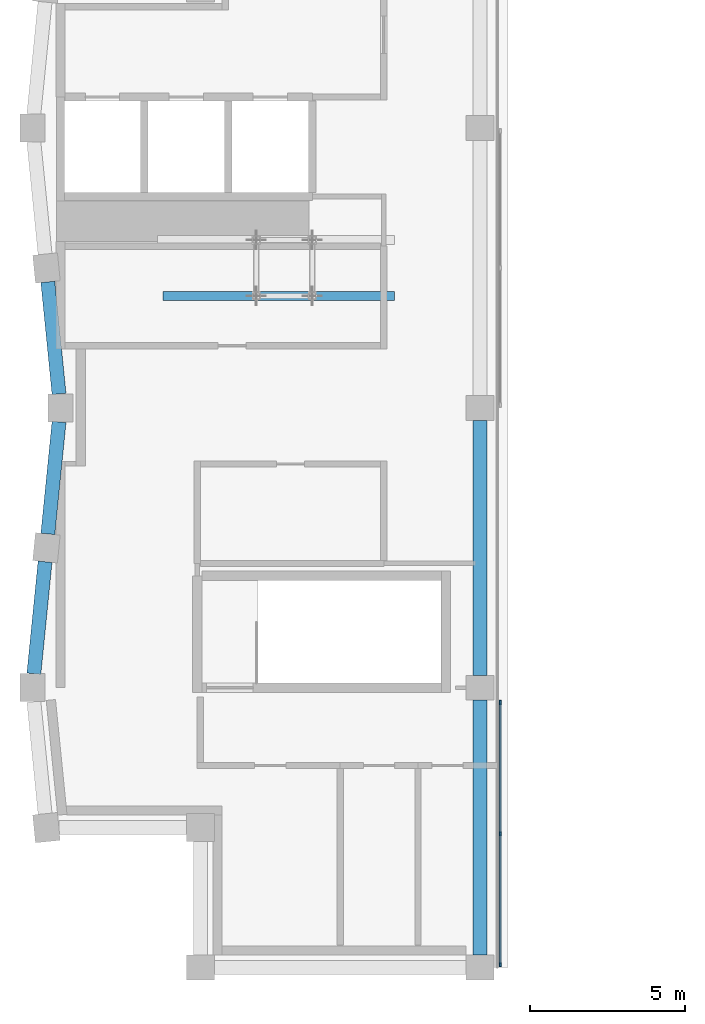
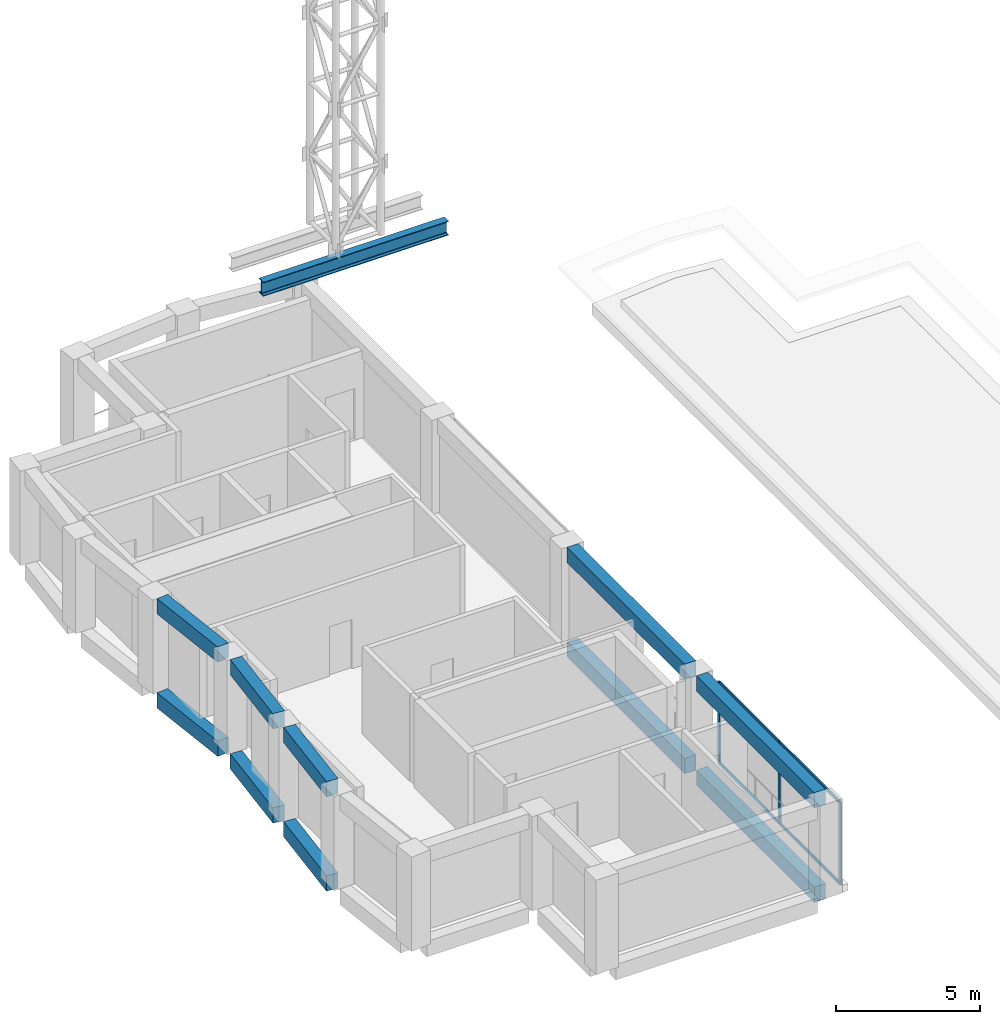
# One storey, part 2 of 7: 11 beams, 7 members, 1 element without a shape of its own.
"""IFC4 building model written with IfcOpenShell, lengths in metres."""

from ifc_helpers import new_model, si_unit, direction, frame, origin, origin_2d, place, context, subcontext, project, spatial, rectangle, i_section, extrude, material, material_profile, profile_set, type_object, element, aggregate, save


model = new_model("IFC4")

# Units and contexts
model_context = context("Model", 3, precision=1e-05, world=origin(), true_north=direction((0.0, 1.0)))
body_context = subcontext(model_context, "Body", "Model", "MODEL_VIEW")
ifc_project = project(units=[si_unit("LENGTHUNIT", "METRE"), si_unit("AREAUNIT", "SQUARE_METRE"), si_unit("VOLUMEUNIT", "CUBIC_METRE"), si_unit("PLANEANGLEUNIT", "RADIAN"), si_unit("MASSUNIT", "GRAM", prefix="KILO")], contexts=[model_context])

# Site, building, storey
site_placement = place(None, origin())
site = spatial("IfcSite", under=ifc_project, at=site_placement, CompositionType="ELEMENT")
building_placement = place(site_placement, origin())
building = spatial("IfcBuilding", under=site, at=building_placement, Name="Brondeck Convention Tower", CompositionType="ELEMENT")
storey_placement = place(building_placement, frame((0.0, 0.0, 306.800048828125)))
storey = spatial("IfcBuildingStorey", under=building, at=storey_placement, Name="L76", CompositionType="ELEMENT", Elevation=306.800048828125)

# Curtain wall, members
ifc_material_1 = material(Name="Aluminium, bronze anodised", Category="aluminium")
curtain_wall_type = type_object("IfcCurtainWallType", Name="Crown screen curtain wall", PredefinedType="NOTDEFINED", material=ifc_material_1)
curtain_wall_placement = place(storey_placement, origin())
curtain_wall = element("IfcCurtainWall", 1, at=curtain_wall_placement, inside=storey, type_object=curtain_wall_type, Name="ENV-CW4-L76-K1-SLOT-W-00-2", PredefinedType="NOTDEFINED")
ifc_material_profile_1 = material_profile(ifc_material_1, rectangle(XDim=0.06005859375, YDim=0.139892578125, at=origin_2d()), Name="CW4 mullion")
ifc_profile_set_1 = profile_set([ifc_material_profile_1], Name="Aluminium, bronze anodised")
member_type_1 = type_object("IfcMemberType", Name="CW4 mullion", PredefinedType="MULLION", material=ifc_profile_set_1)
member_1_placement = place(storey_placement, frame((14.14990234375, 35.52001953125, 0.0), z_axis=(0.0, 0.0, 1.0), x_axis=(1.0, 0.0, 0.0)))
member_1 = element("IfcMember", 2, at=member_1_placement, type_object=member_type_1, Name="CW4 mullion 1", PredefinedType="MULLION", context=body_context, shape_type="SweptSolid", body=[
    extrude(rectangle(XDim=0.06005859375, YDim=0.139892578125, at=origin_2d()), origin(), (0.0, 0.0, 1.0), 3.5),
])
member_2_placement = place(storey_placement, frame((14.14990234375, 31.304931640625, 0.0), z_axis=(0.0, 0.0, 1.0), x_axis=(1.0, 0.0, 0.0)))
member_2 = element("IfcMember", 3, at=member_2_placement, type_object=member_type_1, Name="CW4 mullion 2", PredefinedType="MULLION", context=body_context, shape_type="SweptSolid", body=[
    extrude(rectangle(XDim=0.06005859375, YDim=0.139892578125, at=origin_2d()), origin(), (0.0, 0.0, 1.0), 3.5),
])
member_3_placement = place(storey_placement, frame((14.14990234375, 27.090087890625, 0.0), z_axis=(0.0, 0.0, 1.0), x_axis=(1.0, 0.0, 0.0)))
member_3 = element("IfcMember", 4, at=member_3_placement, type_object=member_type_1, Name="CW4 mullion 3", PredefinedType="MULLION", context=body_context, shape_type="SweptSolid", body=[
    extrude(rectangle(XDim=0.06005859375, YDim=0.139892578125, at=origin_2d()), origin(), (0.0, 0.0, 1.0), 3.5),
])
ifc_material_profile_2 = material_profile(ifc_material_1, rectangle(XDim=0.06005859375, YDim=0.1201171875, at=origin_2d()), Name="CW4 transom")
ifc_profile_set_2 = profile_set([ifc_material_profile_2], Name="Aluminium, bronze anodised")
member_type_2 = type_object("IfcMemberType", Name="CW4 transom", PredefinedType="USERDEFINED", material=ifc_profile_set_2)
member_4_placement = place(storey_placement, frame((14.14990234375, 35.489990234375, 0.030029296875), z_axis=(0.0, -1.0, 0.0), x_axis=(1.0, 0.0, 0.0)))
member_4 = element("IfcMember", 5, at=member_4_placement, type_object=member_type_2, Name="CW4 transom 1.1", ObjectType="TRANSOM", PredefinedType="USERDEFINED", context=body_context, shape_type="SweptSolid", body=[
    extrude(rectangle(XDim=0.06005859375, YDim=0.1201171875, at=origin_2d()), origin(), (0.0, 0.0, 1.0), 4.155029296875),
])
member_5_placement = place(storey_placement, frame((14.14990234375, 35.489990234375, 3.469970703125), z_axis=(0.0, -1.0, 0.0), x_axis=(1.0, 0.0, 0.0)))
member_5 = element("IfcMember", 6, at=member_5_placement, type_object=member_type_2, Name="CW4 transom 1.2", ObjectType="TRANSOM", PredefinedType="USERDEFINED", context=body_context, shape_type="SweptSolid", body=[
    extrude(rectangle(XDim=0.06005859375, YDim=0.1201171875, at=origin_2d()), origin(), (0.0, 0.0, 1.0), 4.155029296875),
])
member_6_placement = place(storey_placement, frame((14.14990234375, 31.27490234375, 0.030029296875), z_axis=(0.0, -1.0, 0.0), x_axis=(1.0, 0.0, 0.0)))
member_6 = element("IfcMember", 7, at=member_6_placement, type_object=member_type_2, Name="CW4 transom 2.1", ObjectType="TRANSOM", PredefinedType="USERDEFINED", context=body_context, shape_type="SweptSolid", body=[
    extrude(rectangle(XDim=0.06005859375, YDim=0.1201171875, at=origin_2d()), origin(), (0.0, 0.0, 1.0), 4.15478515625),
])
member_7_placement = place(storey_placement, frame((14.14990234375, 31.27490234375, 3.469970703125), z_axis=(0.0, -1.0, 0.0), x_axis=(1.0, 0.0, 0.0)))
member_7 = element("IfcMember", 8, at=member_7_placement, type_object=member_type_2, Name="CW4 transom 2.2", ObjectType="TRANSOM", PredefinedType="USERDEFINED", context=body_context, shape_type="SweptSolid", body=[
    extrude(rectangle(XDim=0.06005859375, YDim=0.1201171875, at=origin_2d()), origin(), (0.0, 0.0, 1.0), 4.15478515625),
])
aggregate(curtain_wall, [member_1, member_2, member_3, member_4, member_5, member_6, member_7])

# Beams
ifc_material_2 = material(Name="Steel S355", Category="steel")
ifc_material_profile_3 = material_profile(ifc_material_2, i_section(OverallWidth=0.300048828125, OverallDepth=0.60009765625, WebThickness=0.015380859375, FlangeThickness=0.030029296875, FilletRadius=0.027099609375, at=origin_2d()), Name="HEB 600")
ifc_profile_set_3 = profile_set([ifc_material_profile_3], Name="Steel S355")
beam_type_1 = type_object("IfcBeamType", Name="Crown frame Girder HEB 600", PredefinedType="BEAM", material=ifc_profile_set_3)
beam_placement = place(storey_placement, frame((3.30712890625, 48.60009765625, 16.099853515625), z_axis=(1.0, 0.0, 0.0), x_axis=(0.0, 1.0, 0.0)))
element("IfcBeam", 9, at=beam_placement, inside=storey, type_object=beam_type_1, Name="Spire seat girder 1", PredefinedType="BEAM", context=body_context, shape_type="SweptSolid", body=[
    extrude(i_section(OverallWidth=0.300048828125, OverallDepth=0.60009765625, WebThickness=0.015380859375, FlangeThickness=0.030029296875, FilletRadius=0.027099609375, at=origin_2d()), origin(), (0.0, 0.0, 1.0), 7.44287109375),
])
ifc_material_3 = material(Name="Concrete C50/60", Category="concrete")
ifc_material_profile_4 = material_profile(ifc_material_3, rectangle(XDim=0.449951171875, YDim=0.64990234375, at=origin_2d()), Name="Precast spandrel 450x650 Concrete C50/60")
ifc_profile_set_4 = profile_set([ifc_material_profile_4], Name="Concrete C50/60")
beam_type_2 = type_object("IfcBeamType", Name="Precast spandrel 450x650 Concrete C50/60", PredefinedType="SPANDREL", material=ifc_profile_set_4)
for number, where, z_axis, x_axis, name in (
    (10, (13.5, 27.39990234375, -0.324951171875), (0.0, 1.0, 0.0), (-1.0, 0.0, 0.0), "STR-SP-L76K1-002"),
    (11, (13.5, 36.39990234375, -0.324951171875), (0.0, 1.0, 0.0), (-1.0, 0.0, 0.0), "STR-SP-L76K1-003"),
):
    element("IfcBeam", number, at=place(storey_placement, frame(where, z_axis=z_axis, x_axis=x_axis)), inside=storey, type_object=beam_type_2, Name=name, PredefinedType="SPANDREL", context=body_context, shape_type="SweptSolid", body=[
        extrude(rectangle(XDim=0.449951171875, YDim=0.64990234375, at=origin_2d()), origin(), (0.0, 0.0, 1.0), 8.2001953125),
    ])
for number, where, z_axis, x_axis, name in (
    (12, (-0.4052734375, 49.05224609375, -0.324951171875), (0.099537103649, -0.995033851182, 0.0), (0.995033851182, 0.099537103649, 0.0), "STR-SP-L76K1-012"),
    (13, (-0.044921875, 44.550048828125, -0.324951171875), (-0.099537103649, -0.995033851182, 0.0), (0.995033851182, -0.099537103649, 0.0), "STR-SP-L76K1-013"),
    (14, (-0.494873046875, 40.05224609375, -0.324951171875), (-0.099470334057, -0.995040528141, 0.0), (0.995040528141, -0.099470334057, 0.0), "STR-SP-L76K1-014"),
):
    element("IfcBeam", number, at=place(storey_placement, frame(where, z_axis=z_axis, x_axis=x_axis)), inside=storey, type_object=beam_type_2, Name=name, PredefinedType="SPANDREL", context=body_context, shape_type="SweptSolid", body=[
        extrude(rectangle(XDim=0.449951171875, YDim=0.64990234375, at=origin_2d()), origin(), (0.0, 0.0, 1.0), 3.620361328125),
    ])
for number, where, z_axis, x_axis, name in (
    (15, (13.5, 27.39990234375, 3.675048828125), (0.0, 1.0, 0.0), (-1.0, 0.0, 0.0), "STR-SP-L76RP1-002"),
    (16, (13.5, 36.39990234375, 3.675048828125), (0.0, 1.0, 0.0), (-1.0, 0.0, 0.0), "STR-SP-L76RP1-003"),
):
    element("IfcBeam", number, at=place(storey_placement, frame(where, z_axis=z_axis, x_axis=x_axis)), inside=storey, type_object=beam_type_2, Name=name, PredefinedType="SPANDREL", context=body_context, shape_type="SweptSolid", body=[
        extrude(rectangle(XDim=0.449951171875, YDim=0.64990234375, at=origin_2d()), origin(), (0.0, 0.0, 1.0), 8.2001953125),
    ])
for number, where, z_axis, x_axis, name in (
    (17, (-0.4052734375, 49.05224609375, 3.675048828125), (0.099537103649, -0.995033851182, 0.0), (0.995033851182, 0.099537103649, 0.0), "STR-SP-L76RP1-012"),
    (18, (-0.044921875, 44.550048828125, 3.675048828125), (-0.099537103649, -0.995033851182, 0.0), (0.995033851182, -0.099537103649, 0.0), "STR-SP-L76RP1-013"),
    (19, (-0.494873046875, 40.05224609375, 3.675048828125), (-0.099470334057, -0.995040528141, 0.0), (0.995040528141, -0.099470334057, 0.0), "STR-SP-L76RP1-014"),
):
    element("IfcBeam", number, at=place(storey_placement, frame(where, z_axis=z_axis, x_axis=x_axis)), inside=storey, type_object=beam_type_2, Name=name, PredefinedType="SPANDREL", context=body_context, shape_type="SweptSolid", body=[
        extrude(rectangle(XDim=0.449951171875, YDim=0.64990234375, at=origin_2d()), origin(), (0.0, 0.0, 1.0), 3.620361328125),
    ])

save(model, "model.ifc")
